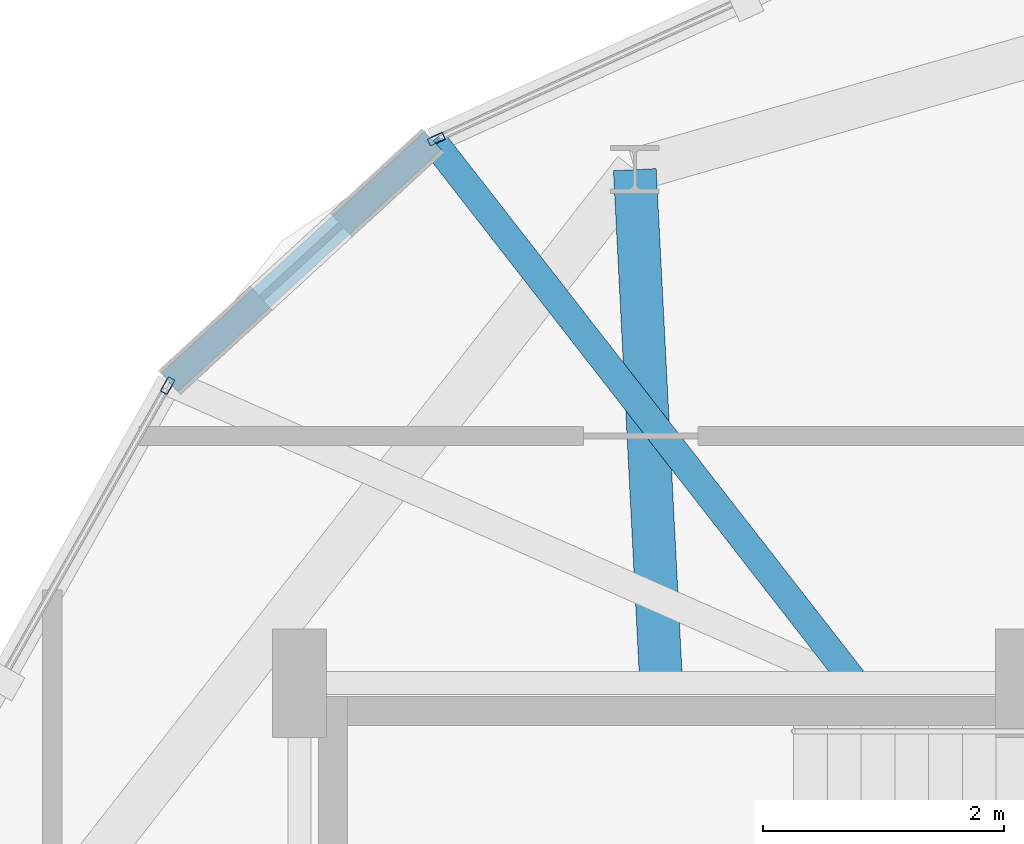
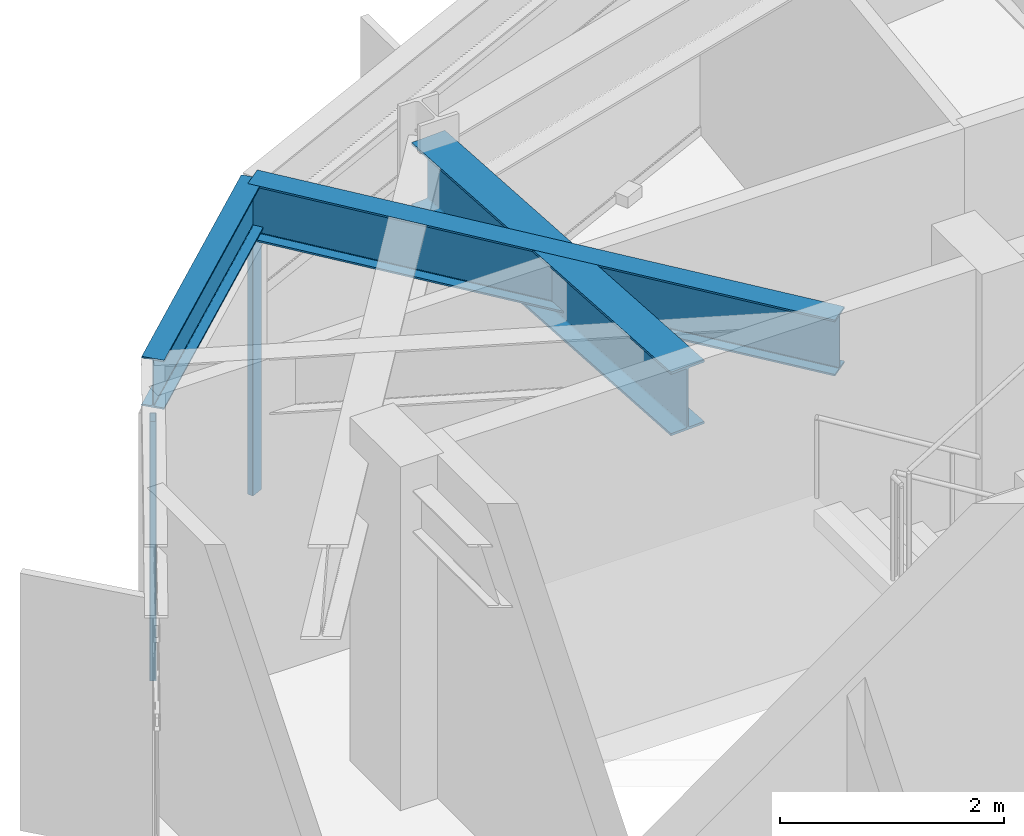
# One storey, part 13 of 23: 3 beams, 2 members, 2 elements without a shape of their own.
"""IFC4 building model written with IfcOpenShell, lengths in metres."""

import ifcopenshell
import ifcopenshell.guid

model = None  # the IFC model being written
_history = None  # IfcOwnerHistory: only IFC2X3 demands one
_inside = {}  # id of a spatial element -> (the spatial element, [elements in it])
_under = {}  # id of a project, library or spatial element -> (it, [spatial elements below it])
_declared = {}  # id of a project -> (the project, [libraries it declares])
_typed = {}  # id of a type object -> (the type object, [elements of that type])
_made_of = {}  # id of a material, layer set ... -> (it, [elements and type objects made of it])


def new_model(schema):
    """Start an empty IFC model of exactly this schema.

    Asked for "IFC4X3", IfcOpenShell would pick the latest addendum, in which some entities
    have other attributes; the version numbers below select the first issue.
    IFC2X3 requires an IfcOwnerHistory on every rooted entity: one is made here for all.
    """
    global model, _history
    if schema == "IFC4X3":
        model = ifcopenshell.file(schema_version=(4, 3, 0, 0))
    else:
        model = ifcopenshell.file(schema=schema)
    _inside.clear()
    _under.clear()
    _declared.clear()
    _typed.clear()
    _made_of.clear()
    _history = None
    if model.schema == "IFC2X3":
        org = make("IfcOrganization", Name="unknown")
        user = make(
            "IfcPersonAndOrganization",
            ThePerson=make("IfcPerson", FamilyName="unknown"),
            TheOrganization=org,
        )
        app = make(
            "IfcApplication",
            ApplicationDeveloper=org,
            Version="unknown",
            ApplicationFullName="unknown",
            ApplicationIdentifier="unknown",
        )
        _history = make(
            "IfcOwnerHistory",
            OwningUser=user,
            OwningApplication=app,
            ChangeAction="ADDED",
            CreationDate=0,
        )
    return model


def make(cls, **values):
    """One entity of the class cls with the attributes given. An attribute that is None is left unset."""
    return model.create_entity(
        cls, **{name: value for name, value in values.items() if value is not None}
    )


def rooted(cls, **values):
    """An entity with a GlobalId (a new one), such as an element, a storey or a relation."""
    return make(cls, GlobalId=ifcopenshell.guid.new(), OwnerHistory=_history, **values)


def si_unit(unit_type, name, prefix=None):
    """IfcSIUnit, for example si_unit("LENGTHUNIT", "METRE", prefix="MILLI")."""
    return make("IfcSIUnit", UnitType=unit_type, Prefix=prefix, Name=name)


def assignment(units):
    """IfcUnitAssignment: the units of a project."""
    return None if units is None else make("IfcUnitAssignment", Units=units)


def point(xyz):
    """IfcCartesianPoint."""
    return None if xyz is None else make("IfcCartesianPoint", Coordinates=xyz)


def direction(xyz):
    """IfcDirection."""
    return None if xyz is None else make("IfcDirection", DirectionRatios=xyz)


def frame(location, z_axis=None, x_axis=None):
    """IfcAxis2Placement3D, a coordinate frame: its origin and axes. An axis left out is left unset."""
    return make(
        "IfcAxis2Placement3D",
        Location=point(location),
        Axis=direction(z_axis),
        RefDirection=direction(x_axis),
    )


def frame_2d(location, x_axis=None):
    """IfcAxis2Placement2D, a coordinate frame in the plane: its origin and x axis."""
    return make(
        "IfcAxis2Placement2D", Location=point(location), RefDirection=direction(x_axis)
    )


def origin():
    """The frame at (0, 0, 0) with its axes left unset."""
    return frame((0.0, 0.0, 0.0))


def origin_2d():
    """The frame at (0, 0) in the plane with its x axis left unset."""
    return frame_2d((0.0, 0.0))


def place(relative_to, where):
    """IfcLocalPlacement: puts the frame where relative to a parent placement (None: the world)."""
    return make(
        "IfcLocalPlacement", PlacementRelTo=relative_to, RelativePlacement=where
    )


def context(
    kind, dimensions, precision=None, world=None, true_north=None, identifier=None
):
    """IfcGeometricRepresentationContext, for example the 3D "Model" context."""
    return make(
        "IfcGeometricRepresentationContext",
        ContextIdentifier=identifier,
        ContextType=kind,
        CoordinateSpaceDimension=dimensions,
        Precision=precision,
        WorldCoordinateSystem=world,
        TrueNorth=true_north,
    )


def subcontext(parent, identifier, kind, view, scale=None):
    """IfcGeometricRepresentationSubContext, for example "Body" below "Model"."""
    return make(
        "IfcGeometricRepresentationSubContext",
        ContextIdentifier=identifier,
        ContextType=kind,
        ParentContext=parent,
        TargetScale=scale,
        TargetView=view,
    )


def project(units=None, contexts=None):
    """IfcProject with its units and contexts."""
    return rooted(
        "IfcProject",
        Name="project",
        RepresentationContexts=contexts,
        UnitsInContext=assignment(units),
    )


def spatial(cls, under=None, at=None, **own):
    """A site, building, storey or space (cls), placed at a placement, below another one or the project."""
    s = rooted(cls, ObjectPlacement=at, **own)
    if under is not None:
        _under.setdefault(under.id(), (under, []))[1].append(s)
    return s


def profile(cls, at=None, kind="AREA", **sizes):
    """A parametric profile (cls). Its sizes go by their IFC names, for example OverallWidth=200.0."""
    return make(cls, ProfileType=kind, Position=at, **sizes)


def hollow_rectangle(**sizes):
    """IfcRectangleHollowProfileDef."""
    return profile("IfcRectangleHollowProfileDef", **sizes)


def i_section(**sizes):
    """IfcIShapeProfileDef."""
    return profile("IfcIShapeProfileDef", **sizes)


def extrude(swept, where, along, depth):
    """IfcExtrudedAreaSolid: the profile swept, set in the frame where, extruded along a direction by depth."""
    return make(
        "IfcExtrudedAreaSolid",
        SweptArea=swept,
        Position=where,
        ExtrudedDirection=direction(along),
        Depth=depth,
    )


def shape(context_of_items, identifier, shape_type, items):
    """IfcShapeRepresentation: the items that make up one representation, for example the "Body"."""
    return make(
        "IfcShapeRepresentation",
        ContextOfItems=context_of_items,
        RepresentationIdentifier=identifier,
        RepresentationType=shape_type,
        Items=items,
    )


def material(Name=None, Category=None):
    """IfcMaterial."""
    return make("IfcMaterial", Name=Name, Category=Category)


def layer(
    of_material, thickness, ventilated=None, Name=None, Category=None, Priority=None
):
    """IfcMaterialLayer: one layer of a wall or slab, of a material (None: an air gap)."""
    return make(
        "IfcMaterialLayer",
        Material=of_material,
        LayerThickness=thickness,
        IsVentilated=ventilated,
        Name=Name,
        Category=Category,
        Priority=Priority,
    )


def layer_set(layers, Name=None):
    """IfcMaterialLayerSet."""
    return make("IfcMaterialLayerSet", MaterialLayers=layers, LayerSetName=Name)


def material_profile(
    of_material, cross_section, Name=None, Category=None, Priority=None
):
    """IfcMaterialProfile: a cross section and its material."""
    return make(
        "IfcMaterialProfile",
        Name=Name,
        Material=of_material,
        Profile=cross_section,
        Priority=Priority,
        Category=Category,
    )


def profile_set(profiles, Name=None, composite=None):
    """IfcMaterialProfileSet."""
    return make(
        "IfcMaterialProfileSet",
        Name=Name,
        MaterialProfiles=profiles,
        CompositeProfile=composite,
    )


def made_of(thing, what):
    """Note that an element or type object is made of a material, layer set ...; save() writes the relation."""
    if what is not None:
        _made_of.setdefault(what.id(), (what, []))[1].append(thing)
    return thing


def type_object(cls, material=None, **own):
    """A type object (cls), such as IfcWallType, which elements share."""
    return made_of(rooted(cls, **own), material)


def element(
    cls,
    number,
    at=None,
    inside=None,
    cuts=None,
    type_object=None,
    material=None,
    context=None,
    identifier="Body",
    shape_type=None,
    held_by="IfcProductDefinitionShape",
    body=None,
    shapes=None,
    **own,
):
    """One element of the class cls, such as IfcWall. Its Tag is "e" and its number.

    at: its placement. inside: the storey or other place that contains it. cuts: it is an
    opening in that element (IfcRelVoidsElement). A single representation is given by context,
    identifier, shape_type and body (its items); several are given by shapes. held_by: the class
    of the entity that holds the representations. save() writes the other relations.
    """
    e = rooted(cls, Tag="e%d" % number, ObjectPlacement=at, **own)
    if body is not None:
        shapes = [shape(context, identifier, shape_type, body)]
    if shapes is not None:
        e.Representation = make(held_by, Representations=shapes)
    if inside is not None:
        _inside.setdefault(inside.id(), (inside, []))[1].append(e)
    if cuts is not None:
        rooted(
            "IfcRelVoidsElement", RelatingBuildingElement=cuts, RelatedOpeningElement=e
        )
    if type_object is not None:
        _typed.setdefault(type_object.id(), (type_object, []))[1].append(e)
    return made_of(e, material)


def aggregate(whole, parts):
    """IfcRelAggregates: a whole, such as a stair, and the parts it consists of."""
    return rooted("IfcRelAggregates", RelatingObject=whole, RelatedObjects=parts)


def save(model, path):
    """Write the relations noted so far, then the file.

    IfcRelAggregates (storeys below a building ...), IfcRelContainedInSpatialStructure (elements
    in a storey), IfcRelDefinesByType, IfcRelAssociatesMaterial and IfcRelDeclares: one each for
    every whole, place, type object, material and project.
    """
    for whole, parts in _under.values():
        aggregate(whole, parts)
    for where, things in _inside.values():
        rooted(
            "IfcRelContainedInSpatialStructure",
            RelatedElements=things,
            RelatingStructure=where,
        )
    for kind, things in _typed.values():
        rooted("IfcRelDefinesByType", RelatedObjects=things, RelatingType=kind)
    for what, things in _made_of.values():
        rooted("IfcRelAssociatesMaterial", RelatedObjects=things, RelatingMaterial=what)
    for by, libraries in _declared.values():
        rooted("IfcRelDeclares", RelatingContext=by, RelatedDefinitions=libraries)
    model.write(path)


model = new_model("IFC4")

# Units and contexts
model_context = context("Model", 3, precision=1e-05, world=origin(), true_north=direction((0.0, 1.0)))
body_context = subcontext(model_context, "Body", "Model", "MODEL_VIEW")
ifc_project = project(units=[si_unit("LENGTHUNIT", "METRE"), si_unit("AREAUNIT", "SQUARE_METRE"), si_unit("VOLUMEUNIT", "CUBIC_METRE"), si_unit("PLANEANGLEUNIT", "RADIAN"), si_unit("MASSUNIT", "GRAM", prefix="KILO")], contexts=[model_context])

# Site, building, storey
site_placement = place(None, origin())
site = spatial("IfcSite", under=ifc_project, at=site_placement, CompositionType="ELEMENT")
building_placement = place(site_placement, origin())
building = spatial("IfcBuilding", under=site, at=building_placement, Name="Soratama Intermodal Tower", CompositionType="ELEMENT")
storey_placement = place(building_placement, frame((0.0, 0.0, 261.25)))
storey = spatial("IfcBuildingStorey", under=building, at=storey_placement, Name="L66", CompositionType="ELEMENT", Elevation=261.25)

# Beams
ifc_material_1 = material(Name="Structural steel ASTM A992 Grade 50", Category="steel")
ifc_material_profile_1 = material_profile(ifc_material_1, i_section(OverallWidth=0.35498046875, OverallDepth=0.695068359375, WebThickness=0.015380859375, FlangeThickness=0.02490234375, FilletRadius=0.01611328125, at=origin_2d()), Name="W27X146")
ifc_profile_set_1 = profile_set([ifc_material_profile_1], Name="Structural steel ASTM A992 Grade 50")
beam_type_1 = type_object("IfcBeamType", Name="BM-RING-W27X146", PredefinedType="BEAM", material=ifc_profile_set_1)
beam_1_placement = place(storey_placement, frame((35.60009765625, 35.0, 3.1025390625), z_axis=(-0.051122516685, 0.998692389221, 0.0), x_axis=(-0.998692389221, -0.051122516685, 0.0)))
element("IfcBeam", 1, at=beam_1_placement, inside=storey, type_object=beam_type_1, Name="BM-L66-RAD-04", PredefinedType="BEAM", context=body_context, shape_type="SweptSolid", body=[
    extrude(i_section(OverallWidth=0.35498046875, OverallDepth=0.695068359375, WebThickness=0.015380859375, FlangeThickness=0.02490234375, FilletRadius=0.01611328125, at=origin_2d()), origin(), (0.0, 0.0, 1.0), 4.2646484375),
])
ifc_material_2 = material(Name="Structural steel ASTM A992 Grade 50", Category="steel")
ifc_material_profile_2 = material_profile(ifc_material_2, i_section(OverallWidth=0.2099609375, OverallDepth=0.537109375, WebThickness=0.010986328125, FlangeThickness=0.017333984375, FilletRadius=0.012939453125, at=origin_2d()), Name="W21X68")
ifc_profile_set_2 = profile_set([ifc_material_profile_2], Name="Structural steel ASTM A992 Grade 50")
beam_type_2 = type_object("IfcBeamType", Name="BM-SPN-W21X68", PredefinedType="SPANDREL", material=ifc_profile_set_2)
beam_2_placement = place(storey_placement, frame((33.7080078125, 39.5, 3.181396484375), z_axis=(-0.736778310643, -0.676134395639, 0.0), x_axis=(0.676134395639, -0.736778310643, 0.0)))
element("IfcBeam", 2, at=beam_2_placement, inside=storey, type_object=beam_type_2, Name="BS-L66-CRN02", PredefinedType="SPANDREL", context=body_context, shape_type="SweptSolid", body=[
    extrude(i_section(OverallWidth=0.2099609375, OverallDepth=0.537109375, WebThickness=0.010986328125, FlangeThickness=0.017333984375, FilletRadius=0.012939453125, at=origin_2d()), origin(), (0.0, 0.0, 1.0), 2.967041015625),
])
ifc_material_3 = material(Name="Structural steel ASTM A992 Grade 50", Category="steel")
ifc_material_profile_3 = material_profile(ifc_material_3, i_section(OverallWidth=0.22900390625, OverallDepth=0.612060546875, WebThickness=0.011962890625, FlangeThickness=0.01953125, FilletRadius=0.012939453125, at=origin_2d()), Name="W24X84")
ifc_profile_set_3 = profile_set([ifc_material_profile_3], Name="Structural steel ASTM A992 Grade 50")
beam_type_3 = type_object("IfcBeamType", Name="BM-TIE-W24X84", PredefinedType="BEAM", material=ifc_profile_set_3)
beam_3_placement = place(storey_placement, frame((37.18798828125, 35.031982421875, 3.14404296875), z_axis=(-0.61447469204, 0.788936532835, 0.0), x_axis=(-0.788936532835, -0.61447469204, 0.0)))
element("IfcBeam", 3, at=beam_3_placement, inside=storey, type_object=beam_type_3, Name="BM-L66-TIE1-02", PredefinedType="BEAM", context=body_context, shape_type="SweptSolid", body=[
    extrude(i_section(OverallWidth=0.22900390625, OverallDepth=0.612060546875, WebThickness=0.011962890625, FlangeThickness=0.01953125, FilletRadius=0.012939453125, at=origin_2d()), origin(), (0.0, 0.0, 1.0), 5.663330078125),
])

# Curtain wall, member
ifc_material_4 = material(Name="Double-glazed aluminium curtain wall", Category="aluminium")
ifc_layer = layer(ifc_material_4, 0.159912109375)
ifc_layer_set = layer_set([ifc_layer], Name="Double-glazed aluminium curtain wall")
curtain_wall_type = type_object("IfcCurtainWallType", Name="CW-SYS-5", PredefinedType="NOTDEFINED", material=ifc_layer_set)
curtain_wall_1_placement = place(storey_placement, origin())
curtain_wall_1 = element("IfcCurtainWall", 4, at=curtain_wall_1_placement, inside=storey, type_object=curtain_wall_type, Name="L66 Faceted Curtain Wall F02", PredefinedType="NOTDEFINED")
ifc_material_5 = material(Name="Anodised aluminium AA 6063-T6", Category="aluminium")
ifc_material_profile_4 = material_profile(ifc_material_5, hollow_rectangle(XDim=0.06494140625, YDim=0.139892578125, WallThickness=0.0048828125, InnerFilletRadius=0.0048828125, OuterFilletRadius=0.010009765625, at=origin_2d()), Name="CWM140X65X5")
ifc_profile_set_4 = profile_set([ifc_material_profile_4], Name="Anodised aluminium AA 6063-T6")
member_type = type_object("IfcMemberType", Name="MT-CWM-5", PredefinedType="MULLION", material=ifc_profile_set_4)
member_1_placement = place(storey_placement, frame((33.7353515625, 39.51220703125, 0.0), z_axis=(0.0, 0.0, 1.0), x_axis=(0.415328753182, -0.909671383951, 0.0)))
member_1 = element("IfcMember", 5, at=member_1_placement, type_object=member_type, Name="CW-5 mullion 2", PredefinedType="MULLION", context=body_context, shape_type="SweptSolid", body=[
    extrude(hollow_rectangle(XDim=0.06494140625, YDim=0.139892578125, WallThickness=0.0048828125, InnerFilletRadius=0.0048828125, OuterFilletRadius=0.010009765625, at=origin_2d()), origin(), (0.0, 0.0, 1.0), 2.8291015625),
])
aggregate(curtain_wall_1, [member_1])

curtain_wall_2_placement = place(storey_placement, origin())
curtain_wall_2 = element("IfcCurtainWall", 6, at=curtain_wall_2_placement, inside=storey, type_object=curtain_wall_type, Name="L66 Faceted Curtain Wall F03", PredefinedType="NOTDEFINED")
member_2_placement = place(storey_placement, frame((31.50732421875, 37.4677734375, 0.0), z_axis=(0.0, 0.0, 1.0), x_axis=(0.870696906053, -0.491819985146, 0.0)))
member_2 = element("IfcMember", 7, at=member_2_placement, type_object=member_type, Name="CW-5 mullion 1", PredefinedType="MULLION", context=body_context, shape_type="SweptSolid", body=[
    extrude(hollow_rectangle(XDim=0.06494140625, YDim=0.139892578125, WallThickness=0.0048828125, InnerFilletRadius=0.0048828125, OuterFilletRadius=0.010009765625, at=origin_2d()), origin(), (0.0, 0.0, 1.0), 2.8291015625),
])
aggregate(curtain_wall_2, [member_2])

save(model, "model.ifc")
